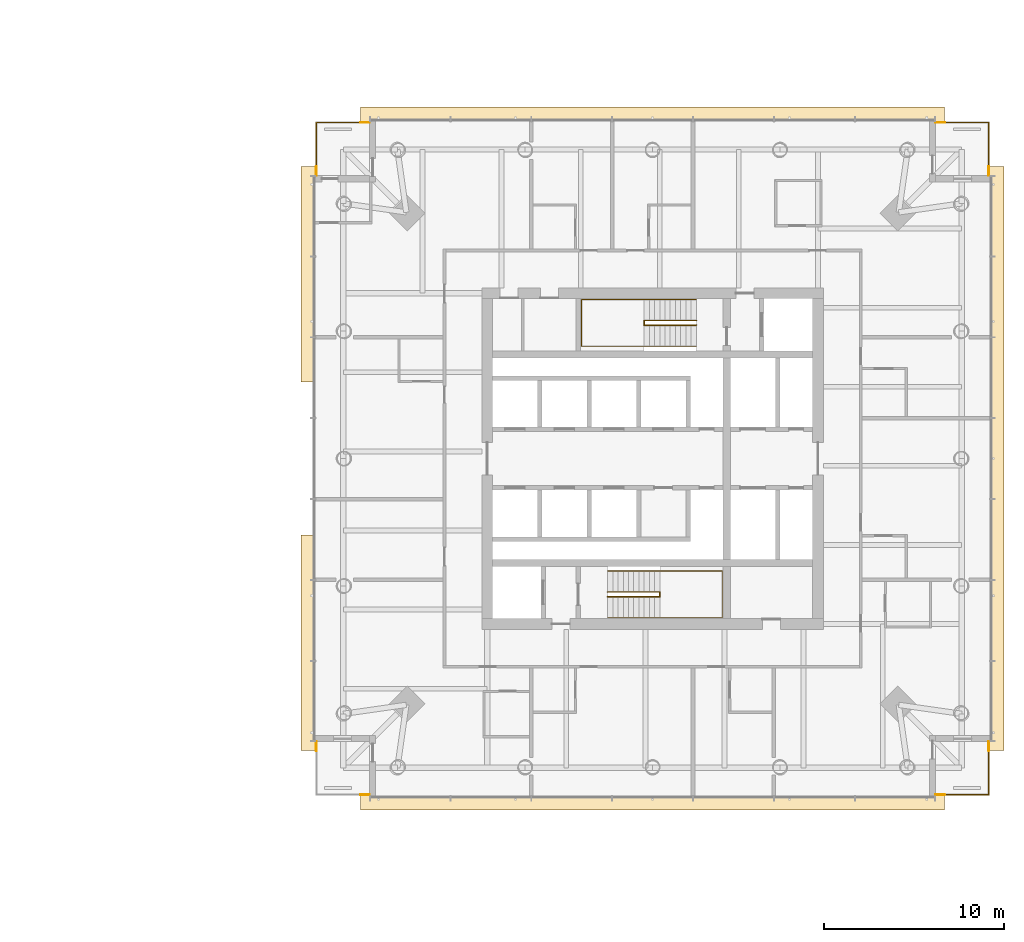
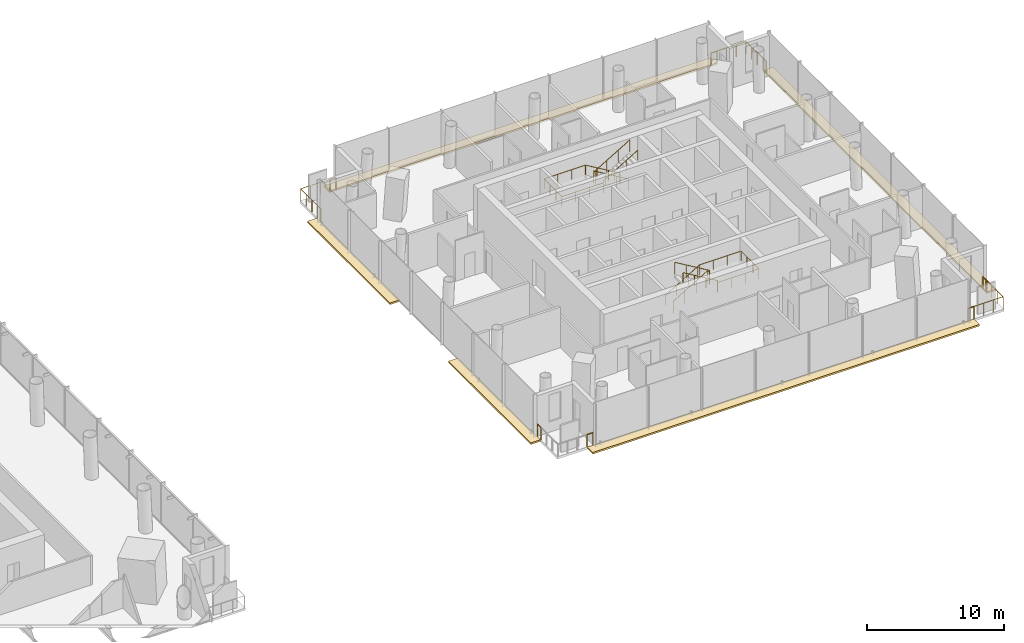
# One storey, part 22 of 22: 15 railings, 5 coverings.
"""IFC4 building model written with IfcOpenShell, lengths in metres."""

from ifc_helpers import new_model, si_unit, direction, frame, origin, origin_2d, place, context, subcontext, project, spatial, polyline, circle, outline, extrude, material, layer, layer_set, type_object, element, save


model = new_model("IFC4")

# Units and contexts
model_context = context("Model", 3, precision=1e-05, world=origin(), true_north=direction((0.0, 1.0)))
body_context = subcontext(model_context, "Body", "Model", "MODEL_VIEW")
ifc_project = project(units=[si_unit("LENGTHUNIT", "METRE"), si_unit("AREAUNIT", "SQUARE_METRE"), si_unit("VOLUMEUNIT", "CUBIC_METRE"), si_unit("PLANEANGLEUNIT", "RADIAN"), si_unit("MASSUNIT", "GRAM", prefix="KILO")], contexts=[model_context])

# Site, building, storey
site_placement = place(None, origin())
site = spatial("IfcSite", under=ifc_project, at=site_placement, CompositionType="ELEMENT")
building_placement = place(site_placement, origin())
building = spatial("IfcBuilding", under=site, at=building_placement, Name="Ostroluk Exchange", CompositionType="ELEMENT")
storey_placement = place(building_placement, frame((0.0, 0.0, 62.800048828125)))
storey = spatial("IfcBuildingStorey", under=building, at=storey_placement, Name="L15", CompositionType="ELEMENT", Elevation=62.800048828125)

# Railings
ifc_material_1 = material(Name="Stainless steel", Category="steel")
railing_type_1 = type_object("IfcRailingType", Name="Guard 1100 stainless steel", PredefinedType="GUARDRAIL", material=ifc_material_1)
railing_1_placement = place(storey_placement, frame((133.25, 27.300048828125, 0.0)))
element("IfcRailing", 1, at=railing_1_placement, inside=storey, type_object=railing_type_1, Name="Hotel tower SE balcony guard L15", PredefinedType="GUARDRAIL", context=body_context, shape_type="SweptSolid", body=[
    extrude(circle(Radius=0.02392578125, at=origin_2d()), frame((0.0, 0.0, 1.076171875), z_axis=(1.0, 0.0, 0.0), x_axis=(0.0, 1.0, 0.0)), (0.0, 0.0, 1.0), 2.449951171875),
    extrude(circle(Radius=0.02392578125, at=origin_2d()), frame((2.449951171875, 0.0, 1.076171875), z_axis=(0.0, 1.0, 0.0), x_axis=(-1.0, 0.0, 0.0)), (0.0, 0.0, 1.0), 2.449951171875),
    extrude(circle(Radius=0.02099609375, at=origin_2d()), origin(), (0.0, 0.0, 1.0), 1.052001953125),
    extrude(circle(Radius=0.02099609375, at=origin_2d()), frame((0.816650390625, 0.0, 0.0)), (0.0, 0.0, 1.0), 1.052001953125),
    extrude(circle(Radius=0.02099609375, at=origin_2d()), frame((1.63330078125, 0.0, 0.0)), (0.0, 0.0, 1.0), 1.052001953125),
    extrude(circle(Radius=0.02099609375, at=origin_2d()), frame((2.449951171875, 0.0, 0.0)), (0.0, 0.0, 1.0), 1.052001953125),
    extrude(circle(Radius=0.02099609375, at=origin_2d()), frame((2.449951171875, 0.816650390625, 0.0)), (0.0, 0.0, 1.0), 1.052001953125),
    extrude(circle(Radius=0.02099609375, at=origin_2d()), frame((2.449951171875, 1.63330078125, 0.0)), (0.0, 0.0, 1.0), 1.052001953125),
    extrude(circle(Radius=0.02099609375, at=origin_2d()), frame((2.449951171875, 2.449951171875, 0.0)), (0.0, 0.0, 1.0), 1.052001953125),
])
railing_2_placement = place(storey_placement, frame((133.25, 64.699951171875, 0.0)))
element("IfcRailing", 2, at=railing_2_placement, inside=storey, type_object=railing_type_1, Name="Hotel tower NE balcony guard L15", PredefinedType="GUARDRAIL", context=body_context, shape_type="SweptSolid", body=[
    extrude(circle(Radius=0.02392578125, at=origin_2d()), frame((0.0, 0.0, 1.076171875), z_axis=(1.0, 0.0, 0.0), x_axis=(0.0, 1.0, 0.0)), (0.0, 0.0, 1.0), 2.449951171875),
    extrude(circle(Radius=0.02392578125, at=origin_2d()), frame((2.449951171875, 0.0, 1.076171875), z_axis=(0.0, -1.0, 0.0), x_axis=(1.0, 0.0, 0.0)), (0.0, 0.0, 1.0), 2.449951171875),
    extrude(circle(Radius=0.02099609375, at=origin_2d()), origin(), (0.0, 0.0, 1.0), 1.052001953125),
    extrude(circle(Radius=0.02099609375, at=origin_2d()), frame((0.816650390625, 0.0, 0.0)), (0.0, 0.0, 1.0), 1.052001953125),
    extrude(circle(Radius=0.02099609375, at=origin_2d()), frame((1.63330078125, 0.0, 0.0)), (0.0, 0.0, 1.0), 1.052001953125),
    extrude(circle(Radius=0.02099609375, at=origin_2d()), frame((2.449951171875, 0.0, 0.0)), (0.0, 0.0, 1.0), 1.052001953125),
    extrude(circle(Radius=0.02099609375, at=origin_2d()), frame((2.449951171875, -0.816650390625, 0.0)), (0.0, 0.0, 1.0), 1.052001953125),
    extrude(circle(Radius=0.02099609375, at=origin_2d()), frame((2.449951171875, -1.63330078125, 0.0)), (0.0, 0.0, 1.0), 1.052001953125),
    extrude(circle(Radius=0.02099609375, at=origin_2d()), frame((2.449951171875, -2.449951171875, 0.0)), (0.0, 0.0, 1.0), 1.052001953125),
])
railing_3_placement = place(storey_placement, frame((100.75, 64.699951171875, 0.0)))
element("IfcRailing", 3, at=railing_3_placement, inside=storey, type_object=railing_type_1, Name="Hotel tower NW balcony guard L15", PredefinedType="GUARDRAIL", context=body_context, shape_type="SweptSolid", body=[
    extrude(circle(Radius=0.02392578125, at=origin_2d()), frame((0.0, 0.0, 1.076171875), z_axis=(-1.0, 0.0, 0.0), x_axis=(0.0, -1.0, 0.0)), (0.0, 0.0, 1.0), 2.449951171875),
    extrude(circle(Radius=0.02392578125, at=origin_2d()), frame((-2.449951171875, 0.0, 1.076171875), z_axis=(0.0, -1.0, 0.0), x_axis=(1.0, 0.0, 0.0)), (0.0, 0.0, 1.0), 2.449951171875),
    extrude(circle(Radius=0.02099609375, at=origin_2d()), origin(), (0.0, 0.0, 1.0), 1.052001953125),
    extrude(circle(Radius=0.02099609375, at=origin_2d()), frame((-0.816650390625, 0.0, 0.0)), (0.0, 0.0, 1.0), 1.052001953125),
    extrude(circle(Radius=0.02099609375, at=origin_2d()), frame((-1.63330078125, 0.0, 0.0)), (0.0, 0.0, 1.0), 1.052001953125),
    extrude(circle(Radius=0.02099609375, at=origin_2d()), frame((-2.449951171875, 0.0, 0.0)), (0.0, 0.0, 1.0), 1.052001953125),
    extrude(circle(Radius=0.02099609375, at=origin_2d()), frame((-2.449951171875, -0.816650390625, 0.0)), (0.0, 0.0, 1.0), 1.052001953125),
    extrude(circle(Radius=0.02099609375, at=origin_2d()), frame((-2.449951171875, -1.63330078125, 0.0)), (0.0, 0.0, 1.0), 1.052001953125),
    extrude(circle(Radius=0.02099609375, at=origin_2d()), frame((-2.449951171875, -2.449951171875, 0.0)), (0.0, 0.0, 1.0), 1.052001953125),
])
ifc_material_2 = material(Name="Stainless steel", Category="steel")
railing_type_2 = type_object("IfcRailingType", Name="Lockable maintenance gate 1100", PredefinedType="GUARDRAIL", material=ifc_material_2)
railing_4_placement = place(storey_placement, frame((132.75, 27.300048828125, 0.0)))
element("IfcRailing", 4, at=railing_4_placement, inside=storey, type_object=railing_type_2, Name="Lockable maintenance gate T2 L15 SE", PredefinedType="GUARDRAIL", context=body_context, shape_type="SweptSolid", body=[
    extrude(circle(Radius=0.02392578125, at=origin_2d()), frame((0.0, 0.0, 1.076171875), z_axis=(1.0, 0.0, 0.0), x_axis=(0.0, 1.0, 0.0)), (0.0, 0.0, 1.0), 0.5),
    extrude(circle(Radius=0.02099609375, at=origin_2d()), origin(), (0.0, 0.0, 1.0), 1.052001953125),
    extrude(circle(Radius=0.02099609375, at=origin_2d()), frame((0.5, 0.0, 0.0)), (0.0, 0.0, 1.0), 1.052001953125),
])
railing_5_placement = place(storey_placement, frame((135.699951171875, 29.75, 0.0)))
element("IfcRailing", 5, at=railing_5_placement, inside=storey, type_object=railing_type_2, Name="Lockable maintenance gate T2 L15 SE", PredefinedType="GUARDRAIL", context=body_context, shape_type="SweptSolid", body=[
    extrude(circle(Radius=0.02392578125, at=origin_2d()), frame((0.0, 0.0, 1.076171875), z_axis=(0.0, 1.0, 0.0), x_axis=(-1.0, 0.0, 0.0)), (0.0, 0.0, 1.0), 0.5),
    extrude(circle(Radius=0.02099609375, at=origin_2d()), origin(), (0.0, 0.0, 1.0), 1.052001953125),
    extrude(circle(Radius=0.02099609375, at=origin_2d()), frame((0.0, 0.5, 0.0)), (0.0, 0.0, 1.0), 1.052001953125),
])
railing_6_placement = place(storey_placement, frame((132.75, 64.699951171875, 0.0)))
element("IfcRailing", 6, at=railing_6_placement, inside=storey, type_object=railing_type_2, Name="Lockable maintenance gate T2 L15 NE", PredefinedType="GUARDRAIL", context=body_context, shape_type="SweptSolid", body=[
    extrude(circle(Radius=0.02392578125, at=origin_2d()), frame((0.0, 0.0, 1.076171875), z_axis=(1.0, 0.0, 0.0), x_axis=(0.0, 1.0, 0.0)), (0.0, 0.0, 1.0), 0.5),
    extrude(circle(Radius=0.02099609375, at=origin_2d()), origin(), (0.0, 0.0, 1.0), 1.052001953125),
    extrude(circle(Radius=0.02099609375, at=origin_2d()), frame((0.5, 0.0, 0.0)), (0.0, 0.0, 1.0), 1.052001953125),
])
railing_7_placement = place(storey_placement, frame((135.699951171875, 62.25, 0.0)))
element("IfcRailing", 7, at=railing_7_placement, inside=storey, type_object=railing_type_2, Name="Lockable maintenance gate T2 L15 NE", PredefinedType="GUARDRAIL", context=body_context, shape_type="SweptSolid", body=[
    extrude(circle(Radius=0.02392578125, at=origin_2d()), frame((0.0, 0.0, 1.076171875), z_axis=(0.0, -1.0, 0.0), x_axis=(1.0, 0.0, 0.0)), (0.0, 0.0, 1.0), 0.5),
    extrude(circle(Radius=0.02099609375, at=origin_2d()), origin(), (0.0, 0.0, 1.0), 1.052001953125),
    extrude(circle(Radius=0.02099609375, at=origin_2d()), frame((0.0, -0.5, 0.0)), (0.0, 0.0, 1.0), 1.052001953125),
])
railing_8_placement = place(storey_placement, frame((101.25, 64.699951171875, 0.0)))
element("IfcRailing", 8, at=railing_8_placement, inside=storey, type_object=railing_type_2, Name="Lockable maintenance gate T2 L15 NW", PredefinedType="GUARDRAIL", context=body_context, shape_type="SweptSolid", body=[
    extrude(circle(Radius=0.02392578125, at=origin_2d()), frame((0.0, 0.0, 1.076171875), z_axis=(-1.0, 0.0, 0.0), x_axis=(0.0, -1.0, 0.0)), (0.0, 0.0, 1.0), 0.5),
    extrude(circle(Radius=0.02099609375, at=origin_2d()), origin(), (0.0, 0.0, 1.0), 1.052001953125),
    extrude(circle(Radius=0.02099609375, at=origin_2d()), frame((-0.5, 0.0, 0.0)), (0.0, 0.0, 1.0), 1.052001953125),
])
railing_9_placement = place(storey_placement, frame((98.300048828125, 62.25, 0.0)))
element("IfcRailing", 9, at=railing_9_placement, inside=storey, type_object=railing_type_2, Name="Lockable maintenance gate T2 L15 NW", PredefinedType="GUARDRAIL", context=body_context, shape_type="SweptSolid", body=[
    extrude(circle(Radius=0.02392578125, at=origin_2d()), frame((0.0, 0.0, 1.076171875), z_axis=(0.0, -1.0, 0.0), x_axis=(1.0, 0.0, 0.0)), (0.0, 0.0, 1.0), 0.5),
    extrude(circle(Radius=0.02099609375, at=origin_2d()), origin(), (0.0, 0.0, 1.0), 1.052001953125),
    extrude(circle(Radius=0.02099609375, at=origin_2d()), frame((0.0, -0.5, 0.0)), (0.0, 0.0, 1.0), 1.052001953125),
])
railing_10_placement = place(storey_placement, frame((101.25, 27.300048828125, 0.0)))
element("IfcRailing", 10, at=railing_10_placement, inside=storey, type_object=railing_type_2, Name="Lockable maintenance gate T2 L15 SW", PredefinedType="GUARDRAIL", context=body_context, shape_type="SweptSolid", body=[
    extrude(circle(Radius=0.02392578125, at=origin_2d()), frame((0.0, 0.0, 1.076171875), z_axis=(-1.0, 0.0, 0.0), x_axis=(0.0, -1.0, 0.0)), (0.0, 0.0, 1.0), 0.5),
    extrude(circle(Radius=0.02099609375, at=origin_2d()), origin(), (0.0, 0.0, 1.0), 1.052001953125),
    extrude(circle(Radius=0.02099609375, at=origin_2d()), frame((-0.5, 0.0, 0.0)), (0.0, 0.0, 1.0), 1.052001953125),
])
railing_11_placement = place(storey_placement, frame((98.300048828125, 29.75, 0.0)))
element("IfcRailing", 11, at=railing_11_placement, inside=storey, type_object=railing_type_2, Name="Lockable maintenance gate T2 L15 SW", PredefinedType="GUARDRAIL", context=body_context, shape_type="SweptSolid", body=[
    extrude(circle(Radius=0.02392578125, at=origin_2d()), frame((0.0, 0.0, 1.076171875), z_axis=(0.0, 1.0, 0.0), x_axis=(-1.0, 0.0, 0.0)), (0.0, 0.0, 1.0), 0.5),
    extrude(circle(Radius=0.02099609375, at=origin_2d()), origin(), (0.0, 0.0, 1.0), 1.052001953125),
    extrude(circle(Radius=0.02099609375, at=origin_2d()), frame((0.0, 0.5, 0.0)), (0.0, 0.0, 1.0), 1.052001953125),
])

# Coverings
ifc_material_3 = material(Name="Insulated steel roof deck with membrane, laid to falls, aluminium coping", Category="steel")
ifc_layer = layer(ifc_material_3, 0.14990234375)
ifc_layer_set = layer_set([ifc_layer], Name="Setback maintenance roof")
covering_type = type_object("IfcCoveringType", Name="Setback maintenance roof", PredefinedType="ROOFING", material=ifc_layer_set)
covering_1_placement = place(storey_placement, frame((0.0, 0.0, -0.150146484375)))
element("IfcCovering", 12, at=covering_1_placement, inside=storey, type_object=covering_type, Name="Maintenance roof, setback L15 south", PredefinedType="ROOFING", context=body_context, shape_type="SweptSolid", body=[
    extrude(outline(polyline([(100.75, 27.25), (133.25, 27.25), (133.25, 26.449951171875), (100.75, 26.449951171875), (100.75, 27.25)])), origin(), (0.0, 0.0, 1.0), 0.150146484375),
])
covering_2_placement = place(storey_placement, frame((0.0, 0.0, -0.150146484375)))
element("IfcCovering", 13, at=covering_2_placement, inside=storey, type_object=covering_type, Name="Maintenance roof, setback L15 east", PredefinedType="ROOFING", context=body_context, shape_type="SweptSolid", body=[
    extrude(outline(polyline([(135.75, 62.25), (136.550048828125, 62.25), (136.550048828125, 29.75), (135.75, 29.75), (135.75, 62.25)])), origin(), (0.0, 0.0, 1.0), 0.150146484375),
])
covering_3_placement = place(storey_placement, frame((0.0, 0.0, -0.150146484375)))
element("IfcCovering", 14, at=covering_3_placement, inside=storey, type_object=covering_type, Name="Maintenance roof, setback L15 north", PredefinedType="ROOFING", context=body_context, shape_type="SweptSolid", body=[
    extrude(outline(polyline([(100.75, 65.550048828125), (133.25, 65.550048828125), (133.25, 64.75), (100.75, 64.75), (100.75, 65.550048828125)])), origin(), (0.0, 0.0, 1.0), 0.150146484375),
])
covering_4_placement = place(storey_placement, frame((0.0, 0.0, -0.150146484375)))
element("IfcCovering", 15, at=covering_4_placement, inside=storey, type_object=covering_type, Name="Maintenance roof, setback L15 west", PredefinedType="ROOFING", context=body_context, shape_type="SweptSolid", body=[
    extrude(outline(polyline([(97.449951171875, 41.75), (98.25, 41.75), (98.25, 29.75), (97.449951171875, 29.75), (97.449951171875, 41.75)])), origin(), (0.0, 0.0, 1.0), 0.150146484375),
])
covering_5_placement = place(storey_placement, frame((0.0, 0.0, -0.150146484375)))
element("IfcCovering", 16, at=covering_5_placement, inside=storey, type_object=covering_type, Name="Maintenance roof, setback L15 west", PredefinedType="ROOFING", context=body_context, shape_type="SweptSolid", body=[
    extrude(outline(polyline([(97.449951171875, 62.25), (98.25, 62.25), (98.25, 50.25), (97.449951171875, 50.25), (97.449951171875, 62.25)])), origin(), (0.0, 0.0, 1.0), 0.150146484375),
])

# Railings
ifc_material_4 = material(Name="Steel S355", Category="steel")
railing_type_3 = type_object("IfcRailingType", Name="Stair guard 1100", PredefinedType="GUARDRAIL", material=ifc_material_4)
railing_12_placement = place(storey_placement, frame((114.5, 38.580078125, 0.172607421875)))
element("IfcRailing", 17, at=railing_12_placement, inside=storey, type_object=railing_type_3, Name="Stair T2-S1 guard L15", PredefinedType="GUARDRAIL", context=body_context, shape_type="SweptSolid", body=[
    extrude(circle(Radius=0.02392578125, at=origin_2d()), frame((0.0, 0.0, 1.076171875), z_axis=(0.859141464434, 0.0, 0.511738159696), x_axis=(0.0, 1.0, 0.0)), (0.0, 0.0, 1.0), 3.375244140625),
    extrude(circle(Radius=0.02392578125, at=origin_2d()), frame((2.89990234375, 0.0, 2.80322265625), z_axis=(0.0, -1.0, 0.0), x_axis=(1.0, 0.0, 0.0)), (0.0, 0.0, 1.0), 0.260009765625),
    extrude(circle(Radius=0.02392578125, at=origin_2d()), frame((2.89990234375, -0.260009765625, 2.80322265625), z_axis=(0.0, 0.0, 1.0), x_axis=(1.0, 0.0, 0.0)), (0.0, 0.0, 1.0), 0.1728515625),
    extrude(circle(Radius=0.02392578125, at=origin_2d()), frame((2.89990234375, -0.260009765625, 2.97607421875), z_axis=(-0.859141464434, 0.0, 0.511738159696), x_axis=(0.0, -1.0, 0.0)), (0.0, 0.0, 1.0), 3.375244140625),
    extrude(circle(Radius=0.02099609375, at=origin_2d()), origin(), (0.0, 0.0, 1.0), 1.052001953125),
    extrude(circle(Radius=0.02099609375, at=origin_2d()), frame((0.966552734375, 0.0, 0.57568359375)), (0.0, 0.0, 1.0), 1.052001953125),
    extrude(circle(Radius=0.02099609375, at=origin_2d()), frame((1.933349609375, 0.0, 1.151611328125)), (0.0, 0.0, 1.0), 1.052001953125),
    extrude(circle(Radius=0.02099609375, at=origin_2d()), frame((2.89990234375, 0.0, 1.727294921875)), (0.0, 0.0, 1.0), 1.052001953125),
    extrude(circle(Radius=0.02099609375, at=origin_2d()), frame((2.89990234375, -0.260009765625, 1.727294921875)), (0.0, 0.0, 1.0), 1.052001953125),
    extrude(circle(Radius=0.02099609375, at=origin_2d()), frame((2.89990234375, -0.260009765625, 1.900146484375)), (0.0, 0.0, 1.0), 1.052001953125),
    extrude(circle(Radius=0.02099609375, at=origin_2d()), frame((1.933349609375, -0.260009765625, 2.475830078125)), (0.0, 0.0, 1.0), 1.052001953125),
    extrude(circle(Radius=0.02099609375, at=origin_2d()), frame((0.966552734375, -0.260009765625, 3.0517578125)), (0.0, 0.0, 1.0), 1.052001953125),
    extrude(circle(Radius=0.02099609375, at=origin_2d()), frame((0.0, -0.260009765625, 3.62744140625)), (0.0, 0.0, 1.0), 1.052001953125),
])
railing_13_placement = place(storey_placement, frame((119.429931640625, 53.679931640625, 0.172607421875)))
element("IfcRailing", 18, at=railing_13_placement, inside=storey, type_object=railing_type_3, Name="Stair T2-S2 guard L15", PredefinedType="GUARDRAIL", context=body_context, shape_type="SweptSolid", body=[
    extrude(circle(Radius=0.02392578125, at=origin_2d()), frame((0.0, 0.0, 1.076171875), z_axis=(-0.859141464434, 0.0, 0.511738159696), x_axis=(0.0, -1.0, 0.0)), (0.0, 0.0, 1.0), 3.375244140625),
    extrude(circle(Radius=0.02392578125, at=origin_2d()), frame((-2.89990234375, 0.0, 2.80322265625), z_axis=(0.0, -1.0, 0.0), x_axis=(1.0, 0.0, 0.0)), (0.0, 0.0, 1.0), 0.260009765625),
    extrude(circle(Radius=0.02392578125, at=origin_2d()), frame((-2.89990234375, -0.260009765625, 2.80322265625), z_axis=(0.0, 0.0, 1.0), x_axis=(1.0, 0.0, 0.0)), (0.0, 0.0, 1.0), 0.1728515625),
    extrude(circle(Radius=0.02392578125, at=origin_2d()), frame((-2.89990234375, -0.260009765625, 2.97607421875), z_axis=(0.859141464434, 0.0, 0.511738159696), x_axis=(0.0, 1.0, 0.0)), (0.0, 0.0, 1.0), 3.375244140625),
    extrude(circle(Radius=0.02099609375, at=origin_2d()), origin(), (0.0, 0.0, 1.0), 1.052001953125),
    extrude(circle(Radius=0.02099609375, at=origin_2d()), frame((-0.966552734375, 0.0, 0.57568359375)), (0.0, 0.0, 1.0), 1.052001953125),
    extrude(circle(Radius=0.02099609375, at=origin_2d()), frame((-1.933349609375, 0.0, 1.151611328125)), (0.0, 0.0, 1.0), 1.052001953125),
    extrude(circle(Radius=0.02099609375, at=origin_2d()), frame((-2.89990234375, 0.0, 1.727294921875)), (0.0, 0.0, 1.0), 1.052001953125),
    extrude(circle(Radius=0.02099609375, at=origin_2d()), frame((-2.89990234375, -0.260009765625, 1.727294921875)), (0.0, 0.0, 1.0), 1.052001953125),
    extrude(circle(Radius=0.02099609375, at=origin_2d()), frame((-2.89990234375, -0.260009765625, 1.900146484375)), (0.0, 0.0, 1.0), 1.052001953125),
    extrude(circle(Radius=0.02099609375, at=origin_2d()), frame((-1.933349609375, -0.260009765625, 2.475830078125)), (0.0, 0.0, 1.0), 1.052001953125),
    extrude(circle(Radius=0.02099609375, at=origin_2d()), frame((-0.966552734375, -0.260009765625, 3.0517578125)), (0.0, 0.0, 1.0), 1.052001953125),
    extrude(circle(Radius=0.02099609375, at=origin_2d()), frame((0.0, -0.260009765625, 3.62744140625)), (0.0, 0.0, 1.0), 1.052001953125),
])
ifc_material_5 = material(Name="Stainless steel", Category="steel")
railing_type_4 = type_object("IfcRailingType", Name="Stair handrail 900", PredefinedType="HANDRAIL", material=ifc_material_5)
railing_14_placement = place(storey_placement, frame((114.5, 39.75, 0.172607421875)))
element("IfcRailing", 19, at=railing_14_placement, inside=storey, type_object=railing_type_4, Name="Stair T2-S1 handrail L15", PredefinedType="HANDRAIL", context=body_context, shape_type="SweptSolid", body=[
    extrude(circle(Radius=0.02392578125, at=origin_2d()), frame((0.0, 0.0, 0.8759765625), z_axis=(0.859141464434, 0.0, 0.511738159696), x_axis=(0.0, 1.0, 0.0)), (0.0, 0.0, 1.0), 3.375244140625),
    extrude(circle(Radius=0.02392578125, at=origin_2d()), frame((2.89990234375, 0.0, 2.60302734375), z_axis=(1.0, 0.0, 0.0), x_axis=(0.0, 1.0, 0.0)), (0.0, 0.0, 1.0), 3.47998046875),
    extrude(circle(Radius=0.02392578125, at=origin_2d()), frame((6.3798828125, 0.0, 2.60302734375), z_axis=(0.0, -1.0, 0.0), x_axis=(1.0, 0.0, 0.0)), (0.0, 0.0, 1.0), 2.60009765625),
    extrude(circle(Radius=0.02392578125, at=origin_2d()), frame((6.3798828125, -2.60009765625, 2.60302734375), z_axis=(-1.0, 0.0, 0.0), x_axis=(0.0, -1.0, 0.0)), (0.0, 0.0, 1.0), 3.47998046875),
    extrude(circle(Radius=0.02392578125, at=origin_2d()), frame((2.89990234375, -2.60009765625, 2.60302734375), z_axis=(0.0, 0.0, 1.0), x_axis=(1.0, 0.0, 0.0)), (0.0, 0.0, 1.0), 0.1728515625),
    extrude(circle(Radius=0.02392578125, at=origin_2d()), frame((2.89990234375, -2.60009765625, 2.77587890625), z_axis=(-0.859141464434, 0.0, 0.511738159696), x_axis=(0.0, -1.0, 0.0)), (0.0, 0.0, 1.0), 3.375244140625),
    extrude(circle(Radius=0.02099609375, at=origin_2d()), origin(), (0.0, 0.0, 1.0), 0.851806640625),
    extrude(circle(Radius=0.02099609375, at=origin_2d()), frame((0.966552734375, 0.0, 0.57568359375)), (0.0, 0.0, 1.0), 0.851806640625),
    extrude(circle(Radius=0.02099609375, at=origin_2d()), frame((1.933349609375, 0.0, 1.151611328125)), (0.0, 0.0, 1.0), 0.851806640625),
    extrude(circle(Radius=0.02099609375, at=origin_2d()), frame((2.89990234375, 0.0, 1.727294921875)), (0.0, 0.0, 1.0), 0.851806640625),
    extrude(circle(Radius=0.02099609375, at=origin_2d()), frame((4.059814453125, 0.0, 1.727294921875)), (0.0, 0.0, 1.0), 0.851806640625),
    extrude(circle(Radius=0.02099609375, at=origin_2d()), frame((5.219970703125, 0.0, 1.727294921875)), (0.0, 0.0, 1.0), 0.851806640625),
    extrude(circle(Radius=0.02099609375, at=origin_2d()), frame((6.3798828125, 0.0, 1.727294921875)), (0.0, 0.0, 1.0), 0.851806640625),
    extrude(circle(Radius=0.02099609375, at=origin_2d()), frame((6.3798828125, -0.86669921875, 1.727294921875)), (0.0, 0.0, 1.0), 0.851806640625),
    extrude(circle(Radius=0.02099609375, at=origin_2d()), frame((6.3798828125, -1.7333984375, 1.727294921875)), (0.0, 0.0, 1.0), 0.851806640625),
    extrude(circle(Radius=0.02099609375, at=origin_2d()), frame((6.3798828125, -2.60009765625, 1.727294921875)), (0.0, 0.0, 1.0), 0.851806640625),
    extrude(circle(Radius=0.02099609375, at=origin_2d()), frame((5.219970703125, -2.60009765625, 1.727294921875)), (0.0, 0.0, 1.0), 0.851806640625),
    extrude(circle(Radius=0.02099609375, at=origin_2d()), frame((4.059814453125, -2.60009765625, 1.727294921875)), (0.0, 0.0, 1.0), 0.851806640625),
    extrude(circle(Radius=0.02099609375, at=origin_2d()), frame((2.89990234375, -2.60009765625, 1.727294921875)), (0.0, 0.0, 1.0), 0.851806640625),
    extrude(circle(Radius=0.02099609375, at=origin_2d()), frame((2.89990234375, -2.60009765625, 1.900146484375)), (0.0, 0.0, 1.0), 0.851806640625),
    extrude(circle(Radius=0.02099609375, at=origin_2d()), frame((1.933349609375, -2.60009765625, 2.475830078125)), (0.0, 0.0, 1.0), 0.851806640625),
    extrude(circle(Radius=0.02099609375, at=origin_2d()), frame((0.966552734375, -2.60009765625, 3.0517578125)), (0.0, 0.0, 1.0), 0.851806640625),
    extrude(circle(Radius=0.02099609375, at=origin_2d()), frame((0.0, -2.60009765625, 3.62744140625)), (0.0, 0.0, 1.0), 0.851806640625),
])
railing_15_placement = place(storey_placement, frame((119.429931640625, 54.85009765625, 0.172607421875)))
element("IfcRailing", 20, at=railing_15_placement, inside=storey, type_object=railing_type_4, Name="Stair T2-S2 handrail L15", PredefinedType="HANDRAIL", context=body_context, shape_type="SweptSolid", body=[
    extrude(circle(Radius=0.02392578125, at=origin_2d()), frame((0.0, 0.0, 0.8759765625), z_axis=(-0.859141464434, 0.0, 0.511738159696), x_axis=(0.0, -1.0, 0.0)), (0.0, 0.0, 1.0), 3.375244140625),
    extrude(circle(Radius=0.02392578125, at=origin_2d()), frame((-2.89990234375, 0.0, 2.60302734375), z_axis=(-1.0, 0.0, 0.0), x_axis=(0.0, -1.0, 0.0)), (0.0, 0.0, 1.0), 3.47998046875),
    extrude(circle(Radius=0.02392578125, at=origin_2d()), frame((-6.3798828125, 0.0, 2.60302734375), z_axis=(0.0, -1.0, 0.0), x_axis=(1.0, 0.0, 0.0)), (0.0, 0.0, 1.0), 2.60009765625),
    extrude(circle(Radius=0.02392578125, at=origin_2d()), frame((-6.3798828125, -2.60009765625, 2.60302734375), z_axis=(1.0, 0.0, 0.0), x_axis=(0.0, 1.0, 0.0)), (0.0, 0.0, 1.0), 3.47998046875),
    extrude(circle(Radius=0.02392578125, at=origin_2d()), frame((-2.89990234375, -2.60009765625, 2.60302734375), z_axis=(0.0, 0.0, 1.0), x_axis=(1.0, 0.0, 0.0)), (0.0, 0.0, 1.0), 0.1728515625),
    extrude(circle(Radius=0.02392578125, at=origin_2d()), frame((-2.89990234375, -2.60009765625, 2.77587890625), z_axis=(0.859141464434, 0.0, 0.511738159696), x_axis=(0.0, 1.0, 0.0)), (0.0, 0.0, 1.0), 3.375244140625),
    extrude(circle(Radius=0.02099609375, at=origin_2d()), origin(), (0.0, 0.0, 1.0), 0.851806640625),
    extrude(circle(Radius=0.02099609375, at=origin_2d()), frame((-0.966552734375, 0.0, 0.57568359375)), (0.0, 0.0, 1.0), 0.851806640625),
    extrude(circle(Radius=0.02099609375, at=origin_2d()), frame((-1.933349609375, 0.0, 1.151611328125)), (0.0, 0.0, 1.0), 0.851806640625),
    extrude(circle(Radius=0.02099609375, at=origin_2d()), frame((-2.89990234375, 0.0, 1.727294921875)), (0.0, 0.0, 1.0), 0.851806640625),
    extrude(circle(Radius=0.02099609375, at=origin_2d()), frame((-4.059814453125, 0.0, 1.727294921875)), (0.0, 0.0, 1.0), 0.851806640625),
    extrude(circle(Radius=0.02099609375, at=origin_2d()), frame((-5.219970703125, 0.0, 1.727294921875)), (0.0, 0.0, 1.0), 0.851806640625),
    extrude(circle(Radius=0.02099609375, at=origin_2d()), frame((-6.3798828125, 0.0, 1.727294921875)), (0.0, 0.0, 1.0), 0.851806640625),
    extrude(circle(Radius=0.02099609375, at=origin_2d()), frame((-6.3798828125, -0.86669921875, 1.727294921875)), (0.0, 0.0, 1.0), 0.851806640625),
    extrude(circle(Radius=0.02099609375, at=origin_2d()), frame((-6.3798828125, -1.7333984375, 1.727294921875)), (0.0, 0.0, 1.0), 0.851806640625),
    extrude(circle(Radius=0.02099609375, at=origin_2d()), frame((-6.3798828125, -2.60009765625, 1.727294921875)), (0.0, 0.0, 1.0), 0.851806640625),
    extrude(circle(Radius=0.02099609375, at=origin_2d()), frame((-5.219970703125, -2.60009765625, 1.727294921875)), (0.0, 0.0, 1.0), 0.851806640625),
    extrude(circle(Radius=0.02099609375, at=origin_2d()), frame((-4.059814453125, -2.60009765625, 1.727294921875)), (0.0, 0.0, 1.0), 0.851806640625),
    extrude(circle(Radius=0.02099609375, at=origin_2d()), frame((-2.89990234375, -2.60009765625, 1.727294921875)), (0.0, 0.0, 1.0), 0.851806640625),
    extrude(circle(Radius=0.02099609375, at=origin_2d()), frame((-2.89990234375, -2.60009765625, 1.900146484375)), (0.0, 0.0, 1.0), 0.851806640625),
    extrude(circle(Radius=0.02099609375, at=origin_2d()), frame((-1.933349609375, -2.60009765625, 2.475830078125)), (0.0, 0.0, 1.0), 0.851806640625),
    extrude(circle(Radius=0.02099609375, at=origin_2d()), frame((-0.966552734375, -2.60009765625, 3.0517578125)), (0.0, 0.0, 1.0), 0.851806640625),
    extrude(circle(Radius=0.02099609375, at=origin_2d()), frame((0.0, -2.60009765625, 3.62744140625)), (0.0, 0.0, 1.0), 0.851806640625),
])

save(model, "model.ifc")
